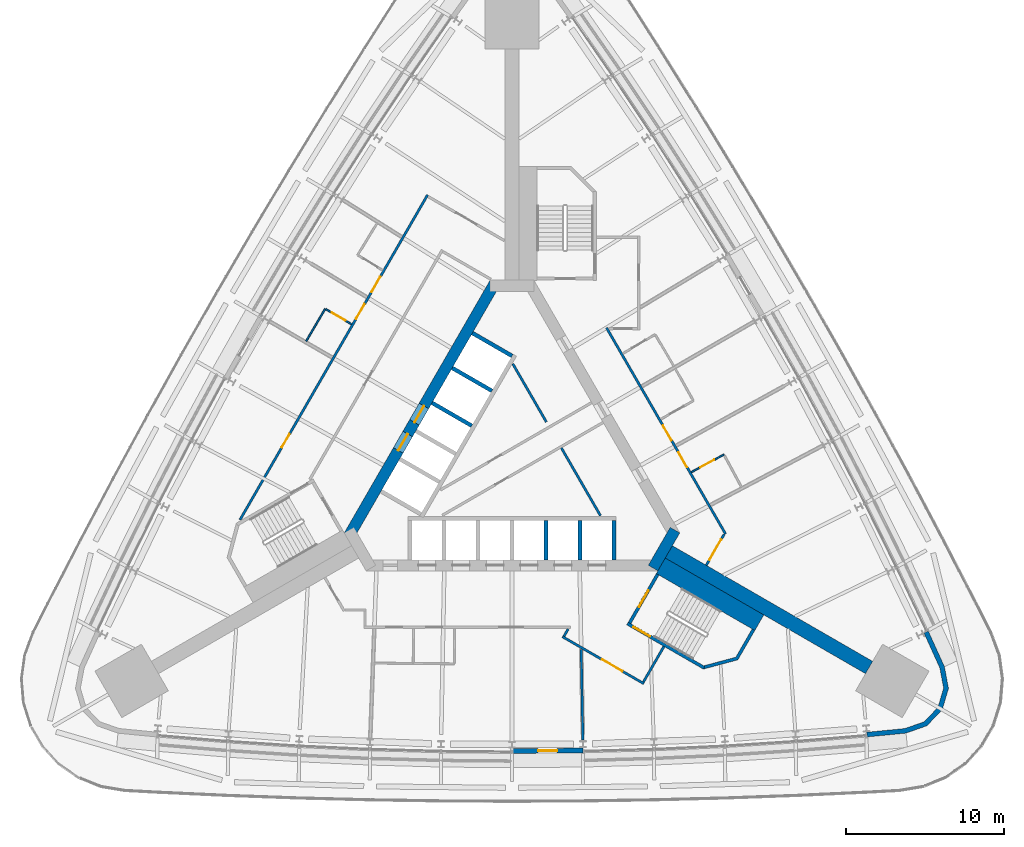
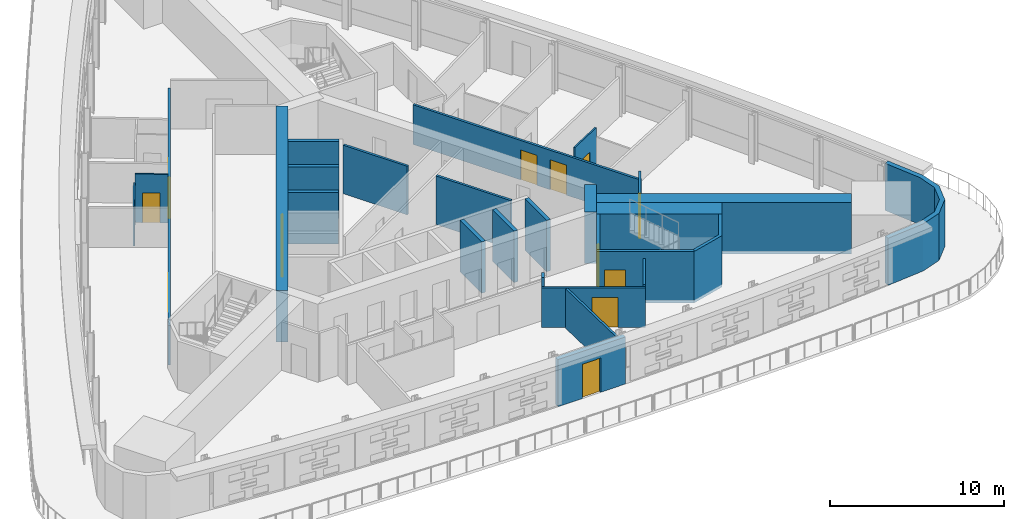
# One storey, part 8 of 14: 27 walls, 14 doors, 14 openings.
"""IFC4 building model written with IfcOpenShell, lengths in metres."""

from ifc_helpers import new_model, si_unit, direction, frame, frame_2d, origin, place, context, subcontext, project, spatial, polyline, rectangle, outline, extrude, material, layer, layer_set, type_object, element, fill, save


model = new_model("IFC4")

# Units and contexts
model_context = context("Model", 3, precision=1e-05, world=origin(), true_north=direction((0.0, 1.0)))
body_context = subcontext(model_context, "Body", "Model", "MODEL_VIEW")
ifc_project = project(units=[si_unit("LENGTHUNIT", "METRE"), si_unit("AREAUNIT", "SQUARE_METRE"), si_unit("VOLUMEUNIT", "CUBIC_METRE"), si_unit("PLANEANGLEUNIT", "RADIAN"), si_unit("MASSUNIT", "GRAM", prefix="KILO")], contexts=[model_context])

# Site, building, storey
site_placement = place(None, origin())
site = spatial("IfcSite", under=ifc_project, at=site_placement, CompositionType="ELEMENT")
building_placement = place(site_placement, origin())
building = spatial("IfcBuilding", under=site, at=building_placement, Name="Noor Cloister Tower", CompositionType="ELEMENT")
storey_placement = place(building_placement, frame((0.0, 0.0, 24.0)))
storey = spatial("IfcBuildingStorey", under=building, at=storey_placement, Name="L05", CompositionType="ELEMENT", Elevation=24.0)

# Walls
ifc_material_1 = material(Name="Concrete C80/95", Category="concrete")
ifc_layer_1 = layer(ifc_material_1, 0.89990234375)
ifc_layer_set_1 = layer_set([ifc_layer_1], Name="Buttress wall 900 C80/95")
wall_type_1 = type_object("IfcWallType", Name="Buttress wall 900 C80/95", PredefinedType="SHEAR", material=ifc_layer_set_1)
wall_1_placement = place(storey_placement, frame((9.921630859375, -5.728271484375, -0.199951171875), z_axis=(0.0, 0.0, 1.0), x_axis=(0.866028046028, -0.499995423472, 0.0)))
element("IfcWall", 1, at=wall_1_placement, inside=storey, type_object=wall_type_1, Name="Buttress wall SE L05", PredefinedType="SHEAR", context=body_context, shape_type="SweptSolid", body=[
    extrude(rectangle(XDim=14.632568359375, YDim=0.89990234375, at=frame_2d((7.31640625, 0.0))), origin(), (0.0, 0.0, 1.0), 3.599853515625),
])
ifc_material_2 = material(Name="Concrete C30/37", Category="concrete")
ifc_layer_2 = layer(ifc_material_2, 0.14990234375)
ifc_layer_set_2 = layer_set([ifc_layer_2], Name="Core partition 150 C30/37")
wall_type_2 = type_object("IfcWallType", Name="Core partition 150 C30/37", PredefinedType="PARTITIONING", material=ifc_layer_set_2)
wall_2_placement = place(storey_placement, frame((2.173583984375, 2.491943359375, 0.0), z_axis=(0.0, 0.0, 1.0), x_axis=(-0.499999641798, 0.866025610592, 0.0)))
element("IfcWall", 2, at=wall_2_placement, inside=storey, type_object=wall_type_2, Name="Core room partition L05 3", PredefinedType="PARTITIONING", context=body_context, shape_type="SweptSolid", body=[
    extrude(rectangle(XDim=4.244140625, YDim=0.14990234375, at=frame_2d((2.1220703125, 0.0))), origin(), (0.0, 0.0, 1.0), 3.39990234375),
])
wall_3_placement = place(storey_placement, frame((5.597900390625, -3.439208984375, 0.0), z_axis=(0.0, 0.0, 1.0), x_axis=(-0.500007155043, 0.866021272779, 0.0)))
element("IfcWall", 3, at=wall_3_placement, inside=storey, type_object=wall_type_2, Name="Core room partition L05 4", PredefinedType="PARTITIONING", context=body_context, shape_type="SweptSolid", body=[
    extrude(rectangle(XDim=4.94873046875, YDim=0.14990234375, at=frame_2d((2.474365234375, 0.0))), origin(), (0.0, 0.0, 1.0), 3.39990234375),
])
ifc_material_3 = material(Name="Concrete C80/95", Category="concrete")
ifc_layer_3 = layer(ifc_material_3, 0.699951171875)
ifc_layer_set_3 = layer_set([ifc_layer_3], Name="Core wall 700 C80/95")
wall_type_3 = type_object("IfcWallType", Name="Core wall 700 C80/95", PredefinedType="SHEAR", material=ifc_layer_set_3)
wall_4_placement = place(storey_placement, frame((8.925537109375, -6.753173828125, -0.199951171875), z_axis=(0.0, 0.0, 1.0), x_axis=(0.500042739161, 0.866000726912, 0.0)))
element("IfcWall", 4, at=wall_4_placement, inside=storey, type_object=wall_type_3, Name="Core wall L05 2", PredefinedType="SHEAR", context=body_context, shape_type="SweptSolid", body=[
    extrude(rectangle(XDim=2.771240234375, YDim=0.699951171875, at=frame_2d((1.3857421875, 0.0))), origin(), (0.0, 0.0, 1.0), 3.599853515625),
])

# Wall, openings, doors
wall_5_placement = place(storey_placement, frame((-1.08251953125, 11.281494140625, -0.199951171875), z_axis=(0.0, 0.0, 1.0), x_axis=(-0.500001446645, -0.866024568562, 0.0)))
wall_5 = element("IfcWall", 5, at=wall_5_placement, inside=storey, type_object=wall_type_3, Name="Core wall L05 5", PredefinedType="SHEAR", context=body_context, shape_type="SweptSolid", body=[
    extrude(rectangle(XDim=18.45751953125, YDim=0.699951171875, at=frame_2d((9.228759765625, 0.0))), origin(), (0.0, 0.0, 1.0), 3.599853515625),
])
opening_1_placement = place(wall_5_placement, frame((8.978759765625, 0.0, 0.199951171875)))
opening_1 = element("IfcOpeningElement", 6, at=opening_1_placement, cuts=wall_5, Name="Opening L05-FF1", PredefinedType="OPENING", context=body_context, shape_type="SweptSolid", body=[
    extrude(rectangle(XDim=1.199951171875, YDim=2.10009765625, at=frame_2d((0.60009765625, 1.050048828125))), frame((0.0, 0.35986328125, 0.0), z_axis=(0.0, -1.0, 0.0), x_axis=(1.0, 0.0, 0.0)), (0.0, 0.0, 1.0), 0.719970703125),
])
opening_2_placement = place(wall_5_placement, frame((11.02880859375, 0.0, 0.199951171875)))
opening_2 = element("IfcOpeningElement", 7, at=opening_2_placement, cuts=wall_5, Name="Opening L05-FF2", PredefinedType="OPENING", context=body_context, shape_type="SweptSolid", body=[
    extrude(rectangle(XDim=1.199951171875, YDim=2.10009765625, at=frame_2d((0.60009765625, 1.050048828125))), frame((0.0, 0.35986328125, 0.0), z_axis=(0.0, -1.0, 0.0), x_axis=(1.0, 0.0, 0.0)), (0.0, 0.0, 1.0), 0.719970703125),
])
ifc_material_4 = material(Name="Stainless steel", Category="steel")
door_type_1 = type_object("IfcDoorType", Name="Lift landing door 1200 x 2100", OperationType="DOUBLE_DOOR_SLIDING", PredefinedType="DOOR", material=ifc_material_4)
door_1_placement = place(opening_1_placement, origin())
door_1 = element("IfcDoor", 8, at=door_1_placement, inside=storey, type_object=door_type_1, Name="Landing door FF1 L05", OperationType="DOUBLE_DOOR_SLIDING", OverallHeight=2.10009765625, OverallWidth=1.199951171875, PredefinedType="DOOR", context=body_context, shape_type="SweptSolid", body=[
    extrude(rectangle(XDim=1.199951171875, YDim=2.10009765625, at=frame_2d((0.60009765625, 1.050048828125))), frame((0.0, 0.02490234375, 0.0), z_axis=(0.0, -1.0, 0.0), x_axis=(1.0, 0.0, 0.0)), (0.0, 0.0, 1.0), 0.050048828125),
])
fill(opening_1, door_1)
door_2_placement = place(opening_2_placement, origin())
door_2 = element("IfcDoor", 9, at=door_2_placement, inside=storey, type_object=door_type_1, Name="Landing door FF2 L05", OperationType="DOUBLE_DOOR_SLIDING", OverallHeight=2.10009765625, OverallWidth=1.199951171875, PredefinedType="DOOR", context=body_context, shape_type="SweptSolid", body=[
    extrude(rectangle(XDim=1.199951171875, YDim=2.10009765625, at=frame_2d((0.60009765625, 1.050048828125))), frame((0.0, 0.02490234375, 0.0), z_axis=(0.0, -1.0, 0.0), x_axis=(1.0, 0.0, 0.0)), (0.0, 0.0, 1.0), 0.050048828125),
])
fill(opening_2, door_2)

ifc_material_5 = material(Name="Gypsum board partition on steel studs, 150 mm", Category="steel")
ifc_layer_4 = layer(ifc_material_5, 0.14990234375)
ifc_layer_set_4 = layer_set([ifc_layer_4], Name="Flat wall 150")
wall_type_4 = type_object("IfcWallType", Name="Flat wall 150", PredefinedType="PARTITIONING", material=ifc_layer_set_4)
wall_6_placement = place(storey_placement, frame((-17.208251953125, -3.69921875, 0.0), z_axis=(0.0, 0.0, 1.0), x_axis=(0.499997567621, 0.866026808115, 0.0)))
wall_6 = element("IfcWall", 10, at=wall_6_placement, inside=storey, type_object=wall_type_4, Name="Flat wall 150 L05 001", PredefinedType="PARTITIONING", context=body_context, shape_type="SweptSolid", body=[
    extrude(rectangle(XDim=23.736328125, YDim=0.14990234375, at=frame_2d((11.8681640625, 0.0))), origin(), (0.0, 0.0, 1.0), 2.76806640625),
])
opening_3_placement = place(wall_6_placement, frame((16.65576171875, 0.0, 0.0)))
opening_3 = element("IfcOpeningElement", 11, at=opening_3_placement, cuts=wall_6, Name="Opening L05-001", PredefinedType="OPENING", context=body_context, shape_type="SweptSolid", body=[
    extrude(rectangle(XDim=1.10009765625, YDim=2.10009765625, at=frame_2d((0.550048828125, 1.050048828125))), frame((0.0, 0.0849609375, 0.0), z_axis=(0.0, -1.0, 0.0), x_axis=(1.0, 0.0, 0.0)), (0.0, 0.0, 1.0), 0.169921875),
])
opening_4_placement = place(wall_6_placement, frame((14.662109375, 0.0, 0.0)))
opening_4 = element("IfcOpeningElement", 12, at=opening_4_placement, cuts=wall_6, Name="Opening L05-002", PredefinedType="OPENING", context=body_context, shape_type="SweptSolid", body=[
    extrude(rectangle(XDim=1.10009765625, YDim=2.10009765625, at=frame_2d((0.550048828125, 1.050048828125))), frame((0.0, 0.0849609375, 0.0), z_axis=(0.0, -1.0, 0.0), x_axis=(1.0, 0.0, 0.0)), (0.0, 0.0, 1.0), 0.169921875),
])
opening_5_placement = place(wall_6_placement, frame((5.273193359375, 0.0, 0.0)))
opening_5 = element("IfcOpeningElement", 13, at=opening_5_placement, cuts=wall_6, Name="Opening L05-003", PredefinedType="OPENING", context=body_context, shape_type="SweptSolid", body=[
    extrude(rectangle(XDim=1.0, YDim=2.10009765625, at=frame_2d((0.5, 1.050048828125))), frame((0.0, 0.0849609375, 0.0), z_axis=(0.0, -1.0, 0.0), x_axis=(1.0, 0.0, 0.0)), (0.0, 0.0, 1.0), 0.169921875),
])
ifc_material_6 = material(Name="Timber door leaf with steel frame", Category="steel")
door_type_2 = type_object("IfcDoorType", Name="Interior door 1000 FD60", OperationType="NOTDEFINED", PredefinedType="DOOR", material=ifc_material_6)
door_3_placement = place(opening_5_placement, origin())
door_3 = element("IfcDoor", 14, at=door_3_placement, inside=storey, type_object=door_type_2, Name="Interior door 1000 L05-003", OperationType="SINGLE_SWING_LEFT", OverallHeight=2.10009765625, OverallWidth=1.0, PredefinedType="DOOR", context=body_context, shape_type="SweptSolid", body=[
    extrude(rectangle(XDim=1.0, YDim=2.10009765625, at=frame_2d((0.5, 1.050048828125))), frame((0.0, 0.02490234375, 0.0), z_axis=(0.0, -1.0, 0.0), x_axis=(1.0, 0.0, 0.0)), (0.0, 0.0, 1.0), 0.050048828125),
])
fill(opening_5, door_3)
ifc_material_7 = material(Name="Timber door leaf with steel frame", Category="steel")
door_type_3 = type_object("IfcDoorType", Name="Resident room door 1100", OperationType="NOTDEFINED", PredefinedType="DOOR", material=ifc_material_7)
door_4_placement = place(opening_3_placement, origin())
door_4 = element("IfcDoor", 15, at=door_4_placement, inside=storey, type_object=door_type_3, Name="Resident room door 1100 L05-001", OperationType="SINGLE_SWING_RIGHT", OverallHeight=2.10009765625, OverallWidth=1.10009765625, PredefinedType="DOOR", context=body_context, shape_type="SweptSolid", body=[
    extrude(rectangle(XDim=1.10009765625, YDim=2.10009765625, at=frame_2d((0.550048828125, 1.050048828125))), frame((0.0, 0.02490234375, 0.0), z_axis=(0.0, -1.0, 0.0), x_axis=(1.0, 0.0, 0.0)), (0.0, 0.0, 1.0), 0.050048828125),
])
fill(opening_3, door_4)
door_5_placement = place(opening_4_placement, origin())
door_5 = element("IfcDoor", 16, at=door_5_placement, inside=storey, type_object=door_type_3, Name="Resident room door 1100 L05-002", OperationType="SINGLE_SWING_RIGHT", OverallHeight=2.10009765625, OverallWidth=1.10009765625, PredefinedType="DOOR", context=body_context, shape_type="SweptSolid", body=[
    extrude(rectangle(XDim=1.10009765625, YDim=2.10009765625, at=frame_2d((0.550048828125, 1.050048828125))), frame((0.0, 0.02490234375, 0.0), z_axis=(0.0, -1.0, 0.0), x_axis=(1.0, 0.0, 0.0)), (0.0, 0.0, 1.0), 0.050048828125),
])
fill(opening_4, door_5)

wall_7_placement = place(storey_placement, frame((5.9814453125, 8.4462890625, 0.0), z_axis=(0.0, 0.0, 1.0), x_axis=(0.499996620721, -0.866027354803, 0.0)))
wall_7 = element("IfcWall", 17, at=wall_7_placement, inside=storey, type_object=wall_type_4, Name="Flat wall 150 L05 003", PredefinedType="PARTITIONING", context=body_context, shape_type="SweptSolid", body=[
    extrude(rectangle(XDim=15.056640625, YDim=0.14990234375, at=frame_2d((7.5283203125, 0.0))), origin(), (0.0, 0.0, 1.0), 2.76806640625),
])
opening_6_placement = place(wall_7_placement, frame((9.08740234375, 0.0, 0.0)))
opening_6 = element("IfcOpeningElement", 18, at=opening_6_placement, cuts=wall_7, Name="Opening L05-005", PredefinedType="OPENING", context=body_context, shape_type="SweptSolid", body=[
    extrude(rectangle(XDim=1.10009765625, YDim=2.10009765625, at=frame_2d((0.550048828125, 1.050048828125))), frame((0.0, 0.0849609375, 0.0), z_axis=(0.0, -1.0, 0.0), x_axis=(1.0, 0.0, 0.0)), (0.0, 0.0, 1.0), 0.169921875),
])
opening_7_placement = place(wall_7_placement, frame((7.127685546875, 0.0, 0.0)))
opening_7 = element("IfcOpeningElement", 19, at=opening_7_placement, cuts=wall_7, Name="Opening L05-006", PredefinedType="OPENING", context=body_context, shape_type="SweptSolid", body=[
    extrude(rectangle(XDim=1.10009765625, YDim=2.10009765625, at=frame_2d((0.550048828125, 1.050048828125))), frame((0.0, 0.0849609375, 0.0), z_axis=(0.0, -1.0, 0.0), x_axis=(1.0, 0.0, 0.0)), (0.0, 0.0, 1.0), 0.169921875),
])
door_6_placement = place(opening_6_placement, origin())
door_6 = element("IfcDoor", 20, at=door_6_placement, inside=storey, type_object=door_type_3, Name="Resident room door 1100 L05-005", OperationType="SINGLE_SWING_RIGHT", OverallHeight=2.10009765625, OverallWidth=1.10009765625, PredefinedType="DOOR", context=body_context, shape_type="SweptSolid", body=[
    extrude(rectangle(XDim=1.10009765625, YDim=2.10009765625, at=frame_2d((0.550048828125, 1.050048828125))), frame((0.0, 0.02490234375, 0.0), z_axis=(0.0, -1.0, 0.0), x_axis=(1.0, 0.0, 0.0)), (0.0, 0.0, 1.0), 0.050048828125),
])
fill(opening_6, door_6)
door_7_placement = place(opening_7_placement, origin())
door_7 = element("IfcDoor", 21, at=door_7_placement, inside=storey, type_object=door_type_3, Name="Resident room door 1100 L05-006", OperationType="SINGLE_SWING_RIGHT", OverallHeight=2.10009765625, OverallWidth=1.10009765625, PredefinedType="DOOR", context=body_context, shape_type="SweptSolid", body=[
    extrude(rectangle(XDim=1.10009765625, YDim=2.10009765625, at=frame_2d((0.550048828125, 1.050048828125))), frame((0.0, 0.02490234375, 0.0), z_axis=(0.0, -1.0, 0.0), x_axis=(1.0, 0.0, 0.0)), (0.0, 0.0, 1.0), 0.050048828125),
])
fill(opening_7, door_7)

# Wall, opening, door
wall_8_placement = place(storey_placement, frame((8.341064453125, -14.065673828125, 0.0), z_axis=(0.0, 0.0, 1.0), x_axis=(-0.866017493347, 0.500013701029, 0.0)))
wall_8 = element("IfcWall", 22, at=wall_8_placement, inside=storey, type_object=wall_type_4, Name="Flat wall 150 L05 006", PredefinedType="PARTITIONING", context=body_context, shape_type="SweptSolid", body=[
    extrude(rectangle(XDim=5.949951171875, YDim=0.14990234375, at=frame_2d((2.97509765625, 0.0))), origin(), (0.0, 0.0, 1.0), 2.76806640625),
])
opening_8_placement = place(wall_8_placement, frame((1.55712890625, 0.0, 0.0)))
opening_8 = element("IfcOpeningElement", 23, at=opening_8_placement, cuts=wall_8, Name="Opening L05-011", PredefinedType="OPENING", context=body_context, shape_type="SweptSolid", body=[
    extrude(rectangle(XDim=1.5, YDim=2.10009765625, at=frame_2d((0.75, 1.050048828125))), frame((0.0, 0.0849609375, 0.0), z_axis=(0.0, -1.0, 0.0), x_axis=(1.0, 0.0, 0.0)), (0.0, 0.0, 1.0), 0.169921875),
])
ifc_material_8 = material(Name="Timber door leaf with steel frame", Category="steel")
door_type_4 = type_object("IfcDoorType", Name="Double door 1500 FD60", OperationType="NOTDEFINED", PredefinedType="DOOR", material=ifc_material_8)
door_8_placement = place(opening_8_placement, origin())
door_8 = element("IfcDoor", 24, at=door_8_placement, inside=storey, type_object=door_type_4, Name="Double door 1500 L05-011", OperationType="DOUBLE_DOOR_SINGLE_SWING", OverallHeight=2.10009765625, OverallWidth=1.5, PredefinedType="DOOR", context=body_context, shape_type="SweptSolid", body=[
    extrude(rectangle(XDim=1.5, YDim=2.10009765625, at=frame_2d((0.75, 1.050048828125))), frame((0.0, 0.02490234375, 0.0), z_axis=(0.0, -1.0, 0.0), x_axis=(1.0, 0.0, 0.0)), (0.0, 0.0, 1.0), 0.050048828125),
])
fill(opening_8, door_8)

# Wall
wall_9_placement = place(storey_placement, frame((8.313720703125, -13.963134765625, 0.0), z_axis=(0.0, 0.0, 1.0), x_axis=(0.499936506574, 0.866062058628, 0.0)))
element("IfcWall", 25, at=wall_9_placement, inside=storey, type_object=wall_type_4, Name="Flat wall 150 L05 010", PredefinedType="PARTITIONING", context=body_context, shape_type="SweptSolid", body=[
    extrude(rectangle(XDim=2.599853515625, YDim=0.14990234375, at=frame_2d((1.2998046875, 0.0))), origin(), (0.0, 0.0, 1.0), 2.923095703125),
])

# Wall, opening, door
wall_10_placement = place(storey_placement, frame((13.4208984375, -4.616943359375, 0.0), z_axis=(0.0, 0.0, 1.0), x_axis=(-0.499946688677, -0.866056180903, 0.0)))
wall_10 = element("IfcWall", 26, at=wall_10_placement, inside=storey, type_object=wall_type_4, Name="Flat wall 150 L05 012", PredefinedType="PARTITIONING", context=body_context, shape_type="SweptSolid", body=[
    extrude(rectangle(XDim=2.261962890625, YDim=0.14990234375, at=frame_2d((1.130859375, 0.0))), origin(), (0.0, 0.0, 1.0), 3.39990234375),
])
opening_9_placement = place(wall_10_placement, frame((0.3671875, 0.0, 0.0)))
opening_9 = element("IfcOpeningElement", 27, at=opening_9_placement, cuts=wall_10, Name="Opening L05-014", PredefinedType="OPENING", context=body_context, shape_type="SweptSolid", body=[
    extrude(rectangle(XDim=1.5, YDim=2.10009765625, at=frame_2d((0.75, 1.050048828125))), frame((0.0, 0.0849609375, 0.0), z_axis=(0.0, -1.0, 0.0), x_axis=(1.0, 0.0, 0.0)), (0.0, 0.0, 1.0), 0.169921875),
])
door_9_placement = place(opening_9_placement, origin())
door_9 = element("IfcDoor", 28, at=door_9_placement, inside=storey, type_object=door_type_4, Name="Double door 1500 L05-014", OperationType="DOUBLE_DOOR_SINGLE_SWING", OverallHeight=2.10009765625, OverallWidth=1.5, PredefinedType="DOOR", context=body_context, shape_type="SweptSolid", body=[
    extrude(rectangle(XDim=1.5, YDim=2.10009765625, at=frame_2d((0.75, 1.050048828125))), frame((0.0, 0.02490234375, 0.0), z_axis=(0.0, -1.0, 0.0), x_axis=(1.0, 0.0, 0.0)), (0.0, 0.0, 1.0), 0.050048828125),
])
fill(opening_9, door_9)

# Walls
wall_11_placement = place(storey_placement, frame((3.290771484375, -11.063232421875, 0.0), z_axis=(0.0, 0.0, 1.0), x_axis=(0.499899694197, 0.866083307622, 0.0)))
element("IfcWall", 29, at=wall_11_placement, inside=storey, type_object=wall_type_4, Name="Flat wall 150 L05 016", PredefinedType="PARTITIONING", context=body_context, shape_type="SweptSolid", body=[
    extrude(rectangle(XDim=0.5166015625, YDim=0.14990234375, at=frame_2d((0.25830078125, 0.0))), origin(), (0.0, 0.0, 1.0), 3.39990234375),
])
wall_12_placement = place(storey_placement, frame((4.48486328125, -17.6416015625, 0.0), z_axis=(0.0, 0.0, 1.0), x_axis=(-0.018565794352, 0.999827640786, 0.0)))
element("IfcWall", 30, at=wall_12_placement, inside=storey, type_object=wall_type_4, Name="Flat wall 150 L05 021", PredefinedType="PARTITIONING", context=body_context, shape_type="SweptSolid", body=[
    extrude(rectangle(XDim=5.7333984375, YDim=0.14990234375, at=frame_2d((2.86669921875, 0.0))), origin(), (0.0, 0.0, 1.0), 2.76806640625),
])
ifc_material_9 = material(Name="Limestone", Category="masonry")
ifc_layer_5 = layer(ifc_material_9, 0.300048828125)
ifc_layer_set_5 = layer_set([ifc_layer_5], Name="Limestone cladding 300")
wall_type_5 = type_object("IfcWallType", Name="Limestone cladding 300", PredefinedType="NOTDEFINED", material=ifc_layer_set_5)
wall_13_placement = place(storey_placement, origin())
element("IfcWall", 31, at=wall_13_placement, inside=storey, type_object=wall_type_5, Name="Limestone pier cladding L05 2.1", PredefinedType="NOTDEFINED", context=body_context, shape_type="SweptSolid", body=[
    extrude(outline(polyline([(22.4677734375, -17.440185546875), (24.9287109375, -17.19873046875), (26.251953125, -16.73193359375), (27.21826171875, -15.714599609375), (27.6162109375, -14.368896484375), (27.35888671875, -12.989501953125), (26.337646484375, -10.737548828125), (26.064453125, -10.861328125), (27.070556640625, -13.080322265625), (27.30810546875, -14.35302734375), (26.951171875, -15.560302734375), (26.084228515625, -16.47314453125), (24.863037109375, -16.903564453125), (22.4384765625, -17.1416015625), (22.4677734375, -17.440185546875)])), origin(), (0.0, 0.0, 1.0), 3.300048828125),
])

# Wall, opening, door
ifc_material_10 = material(Name="Limestone", Category="masonry")
ifc_layer_6 = layer(ifc_material_10, 0.300048828125)
ifc_layer_set_6 = layer_set([ifc_layer_6], Name="Limestone portal wall 300")
wall_type_6 = type_object("IfcWallType", Name="Limestone portal wall 300", PredefinedType="NOTDEFINED", material=ifc_layer_set_6)
wall_14_placement = place(storey_placement, frame((4.496337890625, -18.29150390625, 0.0), z_axis=(0.0, 0.0, 1.0), x_axis=(-0.999956888742, -0.0092855079, 0.0)))
wall_14 = element("IfcWall", 32, at=wall_14_placement, inside=storey, type_object=wall_type_6, Name="Terrace door bay L05 S", PredefinedType="NOTDEFINED", context=body_context, shape_type="SweptSolid", body=[
    extrude(rectangle(XDim=4.49609375, YDim=0.300048828125, at=frame_2d((2.248046875, 0.0))), origin(), (0.0, 0.0, 1.0), 3.300048828125),
])
opening_10_placement = place(wall_14_placement, frame((1.64794921875, 0.0, 0.0)))
opening_10 = element("IfcOpeningElement", 33, at=opening_10_placement, cuts=wall_14, Name="Opening L05-X06", PredefinedType="OPENING", context=body_context, shape_type="SweptSolid", body=[
    extrude(rectangle(XDim=1.199951171875, YDim=2.39990234375, at=frame_2d((0.60009765625, 1.199951171875))), frame((0.0, 0.16015625, 0.0), z_axis=(0.0, -1.0, 0.0), x_axis=(1.0, 0.0, 0.0)), (0.0, 0.0, 1.0), 0.320068359375),
])
ifc_material_11 = material(Name="Glass and aluminium", Category="aluminium")
door_type_5 = type_object("IfcDoorType", Name="Terrace door 1200 x 2400", OperationType="SINGLE_SWING_LEFT", PredefinedType="DOOR", material=ifc_material_11)
door_10_placement = place(opening_10_placement, origin())
door_10 = element("IfcDoor", 34, at=door_10_placement, inside=storey, type_object=door_type_5, Name="Terrace door L05 S", OperationType="SINGLE_SWING_LEFT", OverallHeight=2.39990234375, OverallWidth=1.199951171875, PredefinedType="DOOR", context=body_context, shape_type="SweptSolid", body=[
    extrude(rectangle(XDim=1.199951171875, YDim=2.39990234375, at=frame_2d((0.60009765625, 1.199951171875))), frame((0.0, 0.02490234375, 0.0), z_axis=(0.0, -1.0, 0.0), x_axis=(1.0, 0.0, 0.0)), (0.0, 0.0, 1.0), 0.050048828125),
])
fill(opening_10, door_10)

# Wall
ifc_material_12 = material(Name="Gypsum board partition on steel studs, 100 mm", Category="steel")
ifc_layer_7 = layer(ifc_material_12, 0.10009765625)
ifc_layer_set_7 = layer_set([ifc_layer_7], Name="Partition 100")
wall_type_7 = type_object("IfcWallType", Name="Partition 100", PredefinedType="PARTITIONING", material=ifc_layer_set_7)
wall_15_placement = place(storey_placement, frame((-13.02392578125, 7.6064453125, 0.0), z_axis=(0.0, 0.0, 1.0), x_axis=(0.508012392693, 0.861349759895, 0.0)))
element("IfcWall", 35, at=wall_15_placement, inside=storey, type_object=wall_type_7, Name="Partition 100 L05 030", PredefinedType="PARTITIONING", context=body_context, shape_type="SweptSolid", body=[
    extrude(rectangle(XDim=2.37548828125, YDim=0.10009765625, at=frame_2d((1.187744140625, 0.0))), origin(), (0.0, 0.0, 1.0), 2.76806640625),
])

# Wall, opening, door
wall_16_placement = place(storey_placement, frame((13.408203125, 0.427490234375, 0.0), z_axis=(0.0, 0.0, 1.0), x_axis=(-0.879611235398, -0.475693256797, 0.0)))
wall_16 = element("IfcWall", 36, at=wall_16_placement, inside=storey, type_object=wall_type_7, Name="Partition 100 L05 031", PredefinedType="PARTITIONING", context=body_context, shape_type="SweptSolid", body=[
    extrude(rectangle(XDim=2.346923828125, YDim=0.10009765625, at=frame_2d((1.17333984375, 0.0))), origin(), (0.0, 0.0, 1.0), 3.39990234375),
])
opening_11_placement = place(wall_16_placement, frame((0.699951171875, 0.0, 0.0)))
opening_11 = element("IfcOpeningElement", 37, at=opening_11_placement, cuts=wall_16, Name="Opening L05-018", PredefinedType="OPENING", context=body_context, shape_type="SweptSolid", body=[
    extrude(rectangle(XDim=1.0, YDim=2.10009765625, at=frame_2d((0.5, 1.050048828125))), frame((0.0, 0.06005859375, 0.0), z_axis=(0.0, -1.0, 0.0), x_axis=(1.0, 0.0, 0.0)), (0.0, 0.0, 1.0), 0.1201171875),
])
ifc_material_13 = material(Name="Timber door leaf with steel frame", Category="steel")
door_type_6 = type_object("IfcDoorType", Name="Interior door 1000", OperationType="NOTDEFINED", PredefinedType="DOOR", material=ifc_material_13)
door_11_placement = place(opening_11_placement, origin())
door_11 = element("IfcDoor", 38, at=door_11_placement, inside=storey, type_object=door_type_6, Name="Interior door 1000 L05-018", OperationType="SINGLE_SWING_RIGHT", OverallHeight=2.10009765625, OverallWidth=1.0, PredefinedType="DOOR", context=body_context, shape_type="SweptSolid", body=[
    extrude(rectangle(XDim=1.0, YDim=2.10009765625, at=frame_2d((0.5, 1.050048828125))), frame((0.0, 0.02490234375, 0.0), z_axis=(0.0, -1.0, 0.0), x_axis=(1.0, 0.0, 0.0)), (0.0, 0.0, 1.0), 0.050048828125),
])
fill(opening_11, door_11)

wall_17_placement = place(storey_placement, frame((-10.1533203125, 8.671142578125, 0.0), z_axis=(0.0, 0.0, 1.0), x_axis=(-0.861326599867, 0.508051659147, 0.0)))
wall_17 = element("IfcWall", 39, at=wall_17_placement, inside=storey, type_object=wall_type_7, Name="Partition 100 L05 037", PredefinedType="PARTITIONING", context=body_context, shape_type="SweptSolid", body=[
    extrude(rectangle(XDim=1.8818359375, YDim=0.10009765625, at=frame_2d((0.94091796875, 0.0))), origin(), (0.0, 0.0, 1.0), 3.39990234375),
])
opening_12_placement = place(wall_17_placement, frame((0.45458984375, 0.0, 0.0)))
opening_12 = element("IfcOpeningElement", 40, at=opening_12_placement, cuts=wall_17, Name="Opening L05-019", PredefinedType="OPENING", context=body_context, shape_type="SweptSolid", body=[
    extrude(rectangle(XDim=1.0, YDim=2.10009765625, at=frame_2d((0.5, 1.050048828125))), frame((0.0, 0.06005859375, 0.0), z_axis=(0.0, -1.0, 0.0), x_axis=(1.0, 0.0, 0.0)), (0.0, 0.0, 1.0), 0.1201171875),
])
door_12_placement = place(opening_12_placement, origin())
door_12 = element("IfcDoor", 41, at=door_12_placement, inside=storey, type_object=door_type_6, Name="Interior door 1000 L05-019", OperationType="SINGLE_SWING_RIGHT", OverallHeight=2.10009765625, OverallWidth=1.0, PredefinedType="DOOR", context=body_context, shape_type="SweptSolid", body=[
    extrude(rectangle(XDim=1.0, YDim=2.10009765625, at=frame_2d((0.5, 1.050048828125))), frame((0.0, 0.02490234375, 0.0), z_axis=(0.0, -1.0, 0.0), x_axis=(1.0, 0.0, 0.0)), (0.0, 0.0, 1.0), 0.050048828125),
])
fill(opening_12, door_12)

# Walls
ifc_material_14 = material(Name="Concrete C80/95", Category="concrete")
ifc_layer_8 = layer(ifc_material_14, 0.25)
ifc_layer_set_8 = layer_set([ifc_layer_8], Name="Shaft wall 250 C80/95")
wall_type_8 = type_object("IfcWallType", Name="Shaft wall 250 C80/95", PredefinedType="PARTITIONING", material=ifc_layer_set_8)
for number, where, z_axis, x_axis, name in (
    (42, (2.14990234375, -6.228271484375, -0.199951171875), (0.0, 0.0, 1.0), (0.0, 1.0, 0.0), "Lift shaft wall L05 S 5"),
    (43, (4.300048828125, -6.228271484375, -0.199951171875), (0.0, 0.0, 1.0), (0.0, 1.0, 0.0), "Lift shaft wall L05 S 6"),
    (44, (6.449951171875, -6.228271484375, -0.199951171875), (0.0, 0.0, 1.0), (0.0, 1.0, 0.0), "Lift shaft wall L05 S 7"),
):
    element("IfcWall", number, at=place(storey_placement, frame(where, z_axis=z_axis, x_axis=x_axis)), inside=storey, type_object=wall_type_8, Name=name, PredefinedType="PARTITIONING", context=body_context, shape_type="SweptSolid", body=[
        extrude(rectangle(XDim=2.5, YDim=0.25, at=frame_2d((1.25, 0.0))), origin(), (0.0, 0.0, 1.0), 3.599853515625),
    ])
wall_18_placement = place(storey_placement, frame((-2.50634765625, 8.115478515625, -0.199951171875), z_axis=(0.0, 0.0, 1.0), x_axis=(0.865996321171, -0.50005036918, 0.0)))
element("IfcWall", 45, at=wall_18_placement, inside=storey, type_object=wall_type_8, Name="Lift shaft wall L05 NW 1", PredefinedType="PARTITIONING", context=body_context, shape_type="SweptSolid", body=[
    extrude(rectangle(XDim=2.900146484375, YDim=0.25, at=frame_2d((1.4501953125, 0.0))), origin(), (0.0, 0.0, 1.0), 3.599853515625),
])
for number, where, z_axis, x_axis, name in (
    (46, (-3.78125, 5.906982421875, -0.199951171875), (0.0, 0.0, 1.0), (0.866032775405, -0.499987231761, 0.0), "Lift shaft wall L05 NW 2"),
    (47, (-5.056396484375, 3.69873046875, -0.199951171875), (0.0, 0.0, 1.0), (0.866032775405, -0.499987231761, 0.0), "Lift shaft wall L05 NW 3"),
):
    element("IfcWall", number, at=place(storey_placement, frame(where, z_axis=z_axis, x_axis=x_axis)), inside=storey, type_object=wall_type_8, Name=name, PredefinedType="PARTITIONING", context=body_context, shape_type="SweptSolid", body=[
        extrude(rectangle(XDim=2.89990234375, YDim=0.25, at=frame_2d((1.449951171875, 0.0))), origin(), (0.0, 0.0, 1.0), 3.599853515625),
    ])
ifc_material_15 = material(Name="Concrete C80/95", Category="concrete")
ifc_layer_9 = layer(ifc_material_15, 1.135986328125)
ifc_layer_set_9 = layer_set([ifc_layer_9], Name="Stair enclosure wall 1136 C80/95")
wall_type_9 = type_object("IfcWallType", Name="Stair enclosure wall 1136 C80/95", PredefinedType="SHEAR", material=ifc_layer_set_9)
wall_19_placement = place(storey_placement, frame((9.41259765625, -6.609619140625, -0.199951171875), z_axis=(0.0, 0.0, 1.0), x_axis=(0.866018442252, -0.500012057535, 0.0)))
element("IfcWall", 48, at=wall_19_placement, inside=storey, type_object=wall_type_9, Name="Stair enclosure wall ST3 L05 riser side", PredefinedType="SHEAR", context=body_context, shape_type="SweptSolid", body=[
    extrude(rectangle(XDim=7.199951171875, YDim=1.1357421875, at=frame_2d((3.60009765625, 0.0))), origin(), (0.0, 0.0, 1.0), 3.599853515625),
])

# Wall, opening, door
ifc_material_16 = material(Name="Concrete C80/95", Category="concrete")
ifc_layer_10 = layer(ifc_material_16, 0.199951171875)
ifc_layer_set_10 = layer_set([ifc_layer_10], Name="Stair enclosure wall 200 C80/95")
wall_type_10 = type_object("IfcWallType", Name="Stair enclosure wall 200 C80/95", PredefinedType="SHEAR", material=ifc_layer_set_10)
wall_20_placement = place(storey_placement, frame((7.440185546875, -10.225830078125, -0.199951171875), z_axis=(0.0, 0.0, 1.0), x_axis=(0.500022077904, 0.866012656725, 0.0)))
wall_20 = element("IfcWall", 49, at=wall_20_placement, inside=storey, type_object=wall_type_10, Name="Stair enclosure wall ST3 L05 near end", PredefinedType="SHEAR", context=body_context, shape_type="SweptSolid", body=[
    extrude(rectangle(XDim=3.550048828125, YDim=0.199951171875, at=frame_2d((1.77490234375, 0.0))), origin(), (0.0, 0.0, 1.0), 3.599853515625),
])
opening_13_placement = place(wall_20_placement, frame((1.175048828125, 0.0, 0.199951171875)))
opening_13 = element("IfcOpeningElement", 50, at=opening_13_placement, cuts=wall_20, Name="Opening L05-ST3L", PredefinedType="OPENING", context=body_context, shape_type="SweptSolid", body=[
    extrude(rectangle(XDim=1.199951171875, YDim=2.10009765625, at=frame_2d((0.60009765625, 1.050048828125))), frame((0.0, 0.10986328125, 0.0), z_axis=(0.0, -1.0, 0.0), x_axis=(1.0, 0.0, 0.0)), (0.0, 0.0, 1.0), 0.219970703125),
])
ifc_material_17 = material(Name="Steel", Category="steel")
door_type_7 = type_object("IfcDoorType", Name="Stair door 1200 x 2100 FD120", OperationType="SINGLE_SWING_LEFT", PredefinedType="DOOR", material=ifc_material_17)
door_13_placement = place(opening_13_placement, origin())
door_13 = element("IfcDoor", 51, at=door_13_placement, inside=storey, type_object=door_type_7, Name="Stair door ST3 L05", OperationType="SINGLE_SWING_RIGHT", OverallHeight=2.10009765625, OverallWidth=1.199951171875, PredefinedType="DOOR", context=body_context, shape_type="SweptSolid", body=[
    extrude(rectangle(XDim=1.199951171875, YDim=2.10009765625, at=frame_2d((0.60009765625, 1.050048828125))), frame((0.0, 0.02490234375, 0.0), z_axis=(0.0, -1.0, 0.0), x_axis=(1.0, 0.0, 0.0)), (0.0, 0.0, 1.0), 0.050048828125),
])
fill(opening_13, door_13)

wall_21_placement = place(storey_placement, frame((7.3037109375, -10.262451171875, -0.199951171875), z_axis=(0.0, 0.0, 1.0), x_axis=(0.866026594901, -0.49999793692, 0.0)))
wall_21 = element("IfcWall", 52, at=wall_21_placement, inside=storey, type_object=wall_type_10, Name="Stair enclosure wall ST3 L05 outer side", PredefinedType="SHEAR", context=body_context, shape_type="SweptSolid", body=[
    extrude(rectangle(XDim=5.60009765625, YDim=0.199951171875, at=frame_2d((2.800048828125, 0.0))), origin(), (0.0, 0.0, 1.0), 3.599853515625),
])
opening_14_placement = place(wall_21_placement, frame((0.449951171875, 0.0, 0.199951171875)))
opening_14 = element("IfcOpeningElement", 53, at=opening_14_placement, cuts=wall_21, Name="Opening L05-ST3C", PredefinedType="OPENING", context=body_context, shape_type="SweptSolid", body=[
    extrude(rectangle(XDim=1.199951171875, YDim=2.10009765625, at=frame_2d((0.60009765625, 1.050048828125))), frame((0.0, 0.10986328125, 0.0), z_axis=(0.0, -1.0, 0.0), x_axis=(1.0, 0.0, 0.0)), (0.0, 0.0, 1.0), 0.219970703125),
])
door_14_placement = place(opening_14_placement, origin())
door_14 = element("IfcDoor", 54, at=door_14_placement, inside=storey, type_object=door_type_7, Name="Stair door ST3 L05", OperationType="SINGLE_SWING_LEFT", OverallHeight=2.10009765625, OverallWidth=1.199951171875, PredefinedType="DOOR", context=body_context, shape_type="SweptSolid", body=[
    extrude(rectangle(XDim=1.199951171875, YDim=2.10009765625, at=frame_2d((0.60009765625, 1.050048828125))), frame((0.0, 0.02490234375, 0.0), z_axis=(0.0, -1.0, 0.0), x_axis=(1.0, 0.0, 0.0)), (0.0, 0.0, 1.0), 0.050048828125),
])
fill(opening_14, door_14)

# Wall
ifc_material_18 = material(Name="Concrete C80/95", Category="concrete")
wall_type_11 = type_object("IfcWallType", Name="Stair far end wall C80/95", PredefinedType="SHEAR", material=ifc_material_18)
wall_22_placement = place(storey_placement, frame((0.0, 0.0, -0.199951171875)))
element("IfcWall", 55, at=wall_22_placement, inside=storey, type_object=wall_type_11, Name="Stair enclosure wall ST3 L05 far end", PredefinedType="SHEAR", context=body_context, shape_type="SweptSolid", body=[
    extrude(outline(polyline([(12.103515625, -13.14892578125), (14.2890625, -12.5634765625), (15.364013671875, -10.701416015625), (15.19091796875, -10.601318359375), (14.1572265625, -12.3916015625), (12.131591796875, -12.934326171875), (12.20361328125, -12.975830078125), (12.20361328125, -12.975830078125), (12.20361328125, -12.975830078125), (12.20361328125, -12.975830078125), (12.20361328125, -12.975830078125), (12.20361328125, -12.975830078125), (12.20361328125, -12.975830078125), (12.20361328125, -12.975830078125), (12.20361328125, -12.975830078125), (12.20361328125, -12.975830078125), (12.20361328125, -12.975830078125), (12.20361328125, -12.975830078125), (12.20361328125, -12.975830078125), (12.20361328125, -12.975830078125), (12.20361328125, -12.975830078125), (12.20361328125, -12.975830078125), (12.20361328125, -12.975830078125), (12.103515625, -13.14892578125)])), origin(), (0.0, 0.0, 1.0), 3.599853515625),
])

save(model, "model.ifc")
